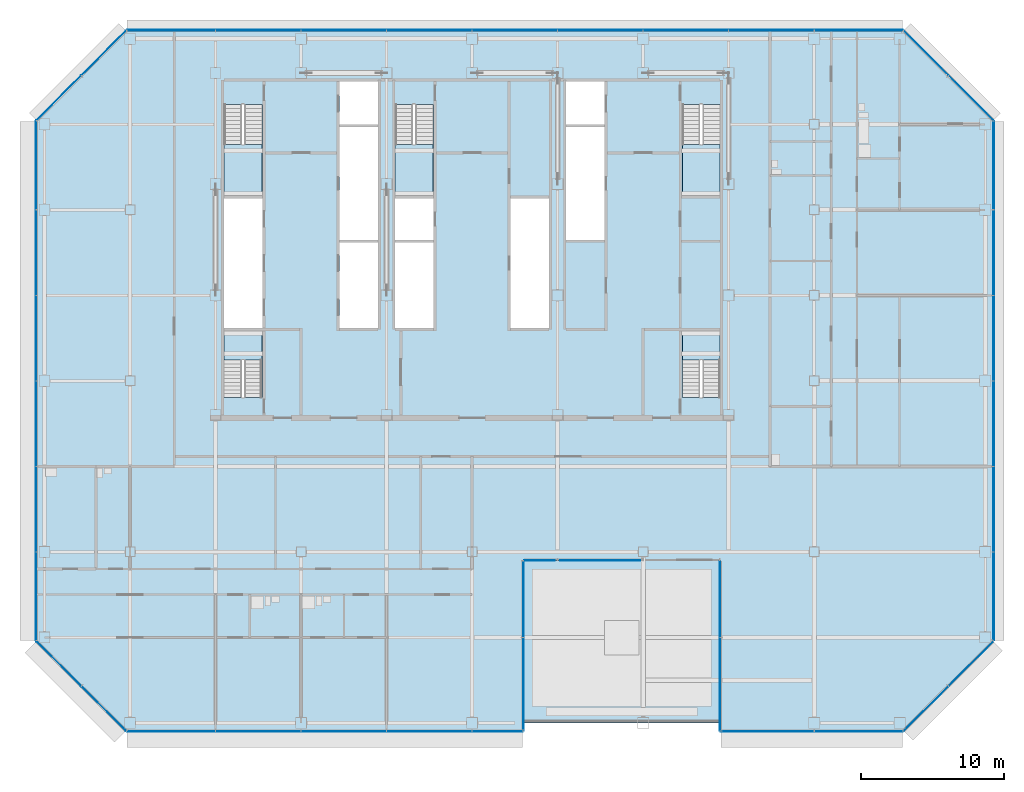
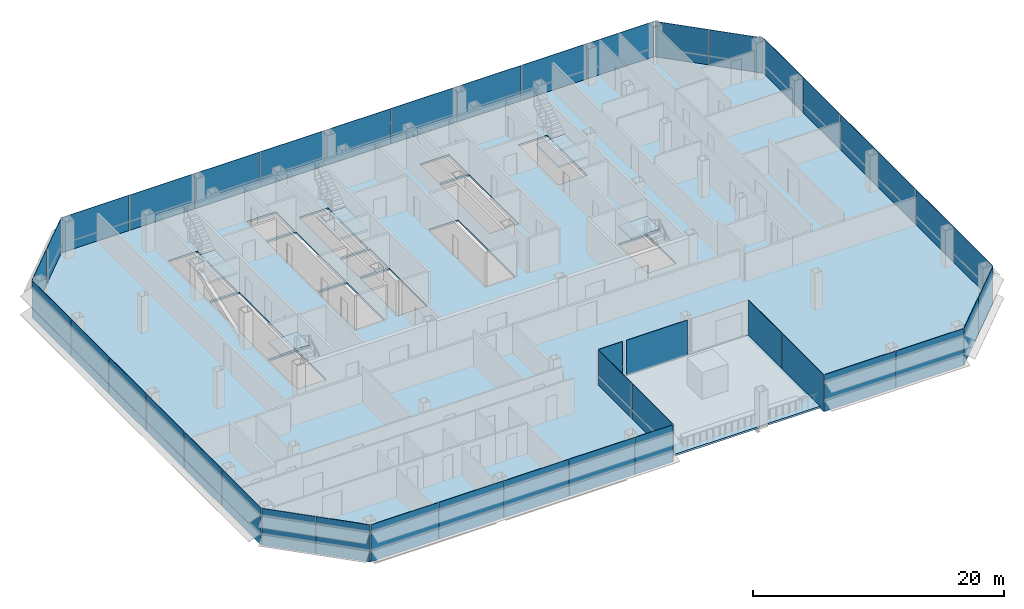
# One storey, part 17 of 26: 42 plates, 7 slabs, 17 elements without a shape of their own.
"""IFC4 building model written with IfcOpenShell, lengths in metres."""

from ifc_helpers import new_model, si_unit, direction, frame, origin, origin_2d, place, context, subcontext, project, spatial, polyline, rectangle, outline, extrude, material, layer, layer_set, type_object, element, aggregate, save


model = new_model("IFC4")

# Units and contexts
model_context = context("Model", 3, precision=1e-05, world=origin(), true_north=direction((0.0, 1.0)))
body_context = subcontext(model_context, "Body", "Model", "MODEL_VIEW")
ifc_project = project(units=[si_unit("LENGTHUNIT", "METRE"), si_unit("AREAUNIT", "SQUARE_METRE"), si_unit("VOLUMEUNIT", "CUBIC_METRE"), si_unit("PLANEANGLEUNIT", "RADIAN"), si_unit("MASSUNIT", "GRAM", prefix="KILO")], contexts=[model_context])

# Site, building, storey
site_placement = place(None, origin())
site = spatial("IfcSite", under=ifc_project, at=site_placement, CompositionType="ELEMENT")
building_placement = place(site_placement, origin())
building = spatial("IfcBuilding", under=site, at=building_placement, Name="Sorahane Residences", CompositionType="ELEMENT")
storey_placement = place(building_placement, frame((0.0, 0.0, 103.39990234375)))
storey = spatial("IfcBuildingStorey", under=building, at=storey_placement, Name="L22", CompositionType="ELEMENT", Elevation=103.39990234375)

# Slab
ifc_material_1 = material(Name="Concrete C35", Category="concrete")
ifc_layer_1 = layer(ifc_material_1, 0.179931640625)
ifc_layer_set_1 = layer_set([ifc_layer_1], Name="Composite floor slab 180 mm Concrete C35")
slab_type_1 = type_object("IfcSlabType", Name="Composite floor slab 180 mm Concrete C35", PredefinedType="FLOOR", material=ifc_layer_set_1)
slab_1_placement = place(storey_placement, frame((0.0, 0.0, -0.179931640625)))
element("IfcSlab", 1, at=slab_1_placement, inside=storey, type_object=slab_type_1, Name="Slab L22", PredefinedType="FLOOR", context=body_context, shape_type="SweptSolid", body=[
    extrude(outline(polyline([(-0.24853515625, -0.60009765625), (-6.60009765625, 5.75146484375), (-6.60009765625, 42.24853515625), (-0.24853515625, 48.60009765625), (54.24853515625, 48.60009765625), (60.60009765625, 42.24853515625), (60.60009765625, 5.75146484375), (54.24853515625, -0.60009765625), (41.39990234375, -0.60009765625), (41.39990234375, 11.39990234375), (27.60009765625, 11.39990234375), (27.60009765625, -0.60009765625), (-0.24853515625, -0.60009765625)]), holes=[polyline([(18.60009765625, 27.699951171875), (21.300048828125, 27.699951171875), (21.300048828125, 33.699951171875), (18.60009765625, 33.699951171875), (18.60009765625, 27.699951171875)]), polyline([(30.60009765625, 42.0), (33.300048828125, 42.0), (33.300048828125, 45.0), (30.60009765625, 45.0), (30.60009765625, 42.0)]), polyline([(14.699951171875, 27.699951171875), (17.39990234375, 27.699951171875), (17.39990234375, 33.699951171875), (14.699951171875, 33.699951171875), (14.699951171875, 27.699951171875)]), polyline([(14.699951171875, 42.0), (17.39990234375, 42.0), (17.39990234375, 45.0), (14.699951171875, 45.0), (14.699951171875, 42.0)]), polyline([(6.60009765625, 27.699951171875), (9.300048828125, 27.699951171875), (9.300048828125, 36.800048828125), (6.60009765625, 36.800048828125), (6.60009765625, 27.699951171875)]), polyline([(6.60009765625, 43.39990234375), (6.60009765625, 37.0), (9.25, 37.0), (9.25, 43.39990234375), (6.60009765625, 43.39990234375)]), polyline([(38.75, 43.39990234375), (38.75, 37.0), (41.39990234375, 37.0), (41.39990234375, 43.39990234375), (38.75, 43.39990234375)]), polyline([(18.60009765625, 43.39990234375), (18.60009765625, 37.0), (21.25, 37.0), (21.25, 43.39990234375), (18.60009765625, 43.39990234375)]), polyline([(9.25, 22.85009765625), (9.25, 27.5), (6.60009765625, 27.5), (6.60009765625, 22.85009765625), (9.25, 22.85009765625)]), polyline([(41.39990234375, 22.85009765625), (41.39990234375, 27.5), (38.75, 27.5), (38.75, 22.85009765625), (41.39990234375, 22.85009765625)]), polyline([(14.699951171875, 33.89990234375), (17.39990234375, 33.89990234375), (17.39990234375, 41.800048828125), (14.699951171875, 41.800048828125), (14.699951171875, 33.89990234375)]), polyline([(30.60009765625, 33.89990234375), (33.300048828125, 33.89990234375), (33.300048828125, 41.800048828125), (30.60009765625, 41.800048828125), (30.60009765625, 33.89990234375)]), polyline([(18.60009765625, 33.89990234375), (21.300048828125, 33.89990234375), (21.300048828125, 36.800048828125), (18.60009765625, 36.800048828125), (18.60009765625, 33.89990234375)]), polyline([(26.699951171875, 27.699951171875), (29.39990234375, 27.699951171875), (29.39990234375, 36.800048828125), (26.699951171875, 36.800048828125), (26.699951171875, 27.699951171875)])]), origin(), (0.0, 0.0, 1.0), 0.179931640625),
])

# Curtain wall, plates
ifc_material_2 = material(Name="Dark low-e glass and black anodised aluminium", Category="aluminium")
curtain_wall_type_1 = type_object("IfcCurtainWallType", Name="Curtain wall CW-1 Typical unitised wall", PredefinedType="NOTDEFINED", material=ifc_material_2)
curtain_wall_1_placement = place(storey_placement, origin())
curtain_wall_1 = element("IfcCurtainWall", 2, at=curtain_wall_1_placement, inside=storey, type_object=curtain_wall_type_1, Name="CW-1 curtain wall L22 S1", PredefinedType="NOTDEFINED")
ifc_material_3 = material(Name="Dark low-e glass with black ceramic frit", Category="glass")
ifc_layer_2 = layer(ifc_material_3, 0.0400390625)
ifc_layer_set_2 = layer_set([ifc_layer_2], Name="Curtain wall glass panel dark low-e with black frit spandrel band")
plate_type = type_object("IfcPlateType", Name="Curtain wall glass panel dark low-e with black frit spandrel band", PredefinedType="CURTAIN_PANEL", material=ifc_layer_set_2)
plate_1_placement = place(storey_placement, frame((2.88818359375, -0.60009765625, -0.179931640625), z_axis=(0.0, 0.0, 1.0), x_axis=(1.0, 0.0, 0.0)))
plate_1 = element("IfcPlate", 3, at=plate_1_placement, type_object=plate_type, Name="CW-1 glass panel L22 S1.1", PredefinedType="CURTAIN_PANEL", context=body_context, shape_type="SweptSolid", body=[
    extrude(rectangle(XDim=6.173583984375, YDim=0.0400390625, at=origin_2d()), origin(), (0.0, 0.0, 1.0), 3.60009765625),
])
plate_2_placement = place(storey_placement, frame((9.0, -0.60009765625, -0.179931640625), z_axis=(0.0, 0.0, 1.0), x_axis=(1.0, 0.0, 0.0)))
plate_2 = element("IfcPlate", 4, at=plate_2_placement, type_object=plate_type, Name="CW-1 glass panel L22 S1.2", PredefinedType="CURTAIN_PANEL", context=body_context, shape_type="SweptSolid", body=[
    extrude(rectangle(XDim=5.949951171875, YDim=0.0400390625, at=origin_2d()), origin(), (0.0, 0.0, 1.0), 3.60009765625),
])
plate_3_placement = place(storey_placement, frame((15.0, -0.60009765625, -0.179931640625), z_axis=(0.0, 0.0, 1.0), x_axis=(1.0, 0.0, 0.0)))
plate_3 = element("IfcPlate", 5, at=plate_3_placement, type_object=plate_type, Name="CW-1 glass panel L22 S1.3", PredefinedType="CURTAIN_PANEL", context=body_context, shape_type="SweptSolid", body=[
    extrude(rectangle(XDim=5.949951171875, YDim=0.0400390625, at=origin_2d()), origin(), (0.0, 0.0, 1.0), 3.60009765625),
])
plate_4_placement = place(storey_placement, frame((21.0, -0.60009765625, -0.179931640625), z_axis=(0.0, 0.0, 1.0), x_axis=(1.0, 0.0, 0.0)))
plate_4 = element("IfcPlate", 6, at=plate_4_placement, type_object=plate_type, Name="CW-1 glass panel L22 S1.4", PredefinedType="CURTAIN_PANEL", context=body_context, shape_type="SweptSolid", body=[
    extrude(rectangle(XDim=5.949951171875, YDim=0.0400390625, at=origin_2d()), origin(), (0.0, 0.0, 1.0), 3.60009765625),
])
plate_5_placement = place(storey_placement, frame((25.78759765625, -0.60009765625, -0.179931640625), z_axis=(0.0, 0.0, 1.0), x_axis=(1.0, 0.0, 0.0)))
plate_5 = element("IfcPlate", 7, at=plate_5_placement, type_object=plate_type, Name="CW-1 glass panel L22 S1.5", PredefinedType="CURTAIN_PANEL", context=body_context, shape_type="SweptSolid", body=[
    extrude(rectangle(XDim=3.52490234375, YDim=0.0400390625, at=origin_2d()), origin(), (0.0, 0.0, 1.0), 3.60009765625),
])
aggregate(curtain_wall_1, [plate_1, plate_2, plate_3, plate_4, plate_5])

curtain_wall_2_placement = place(storey_placement, origin())
curtain_wall_2 = element("IfcCurtainWall", 8, at=curtain_wall_2_placement, inside=storey, type_object=curtain_wall_type_1, Name="CW-1 curtain wall L22 E1", PredefinedType="NOTDEFINED")
plate_6_placement = place(storey_placement, frame((27.60009765625, 2.71240234375, -0.179931640625), z_axis=(0.0, 0.0, 1.0), x_axis=(0.0, 1.0, 0.0)))
plate_6 = element("IfcPlate", 9, at=plate_6_placement, type_object=plate_type, Name="CW-1 glass panel L22 E1.1", PredefinedType="CURTAIN_PANEL", context=body_context, shape_type="SweptSolid", body=[
    extrude(rectangle(XDim=6.52490234375, YDim=0.0400390625, at=origin_2d()), origin(), (0.0, 0.0, 1.0), 3.60009765625),
])
plate_7_placement = place(storey_placement, frame((27.60009765625, 8.6875, -0.179931640625), z_axis=(0.0, 0.0, 1.0), x_axis=(0.0, 1.0, 0.0)))
plate_7 = element("IfcPlate", 10, at=plate_7_placement, type_object=plate_type, Name="CW-1 glass panel L22 E1.2", PredefinedType="CURTAIN_PANEL", context=body_context, shape_type="SweptSolid", body=[
    extrude(rectangle(XDim=5.324951171875, YDim=0.0400390625, at=origin_2d()), origin(), (0.0, 0.0, 1.0), 3.60009765625),
])
aggregate(curtain_wall_2, [plate_6, plate_7])

curtain_wall_3_placement = place(storey_placement, origin())
curtain_wall_3 = element("IfcCurtainWall", 11, at=curtain_wall_3_placement, inside=storey, type_object=curtain_wall_type_1, Name="CW-1 curtain wall L22 S2", PredefinedType="NOTDEFINED")
plate_8_placement = place(storey_placement, frame((28.72509765625, 11.39990234375, -0.179931640625), z_axis=(0.0, 0.0, 1.0), x_axis=(1.0, 0.0, 0.0)))
plate_8 = element("IfcPlate", 12, at=plate_8_placement, type_object=plate_type, Name="CW-1 glass panel L22 S2.1", PredefinedType="CURTAIN_PANEL", context=body_context, shape_type="SweptSolid", body=[
    extrude(rectangle(XDim=2.14990234375, YDim=0.0400390625, at=origin_2d()), origin(), (0.0, 0.0, 1.0), 3.60009765625),
])
plate_9_placement = place(storey_placement, frame((33.0, 11.39990234375, -0.179931640625), z_axis=(0.0, 0.0, 1.0), x_axis=(1.0, 0.0, 0.0)))
plate_9 = element("IfcPlate", 13, at=plate_9_placement, type_object=plate_type, Name="CW-1 glass panel L22 S2.2", PredefinedType="CURTAIN_PANEL", context=body_context, shape_type="SweptSolid", body=[
    extrude(rectangle(XDim=5.60009765625, YDim=0.0400390625, at=origin_2d()), origin(), (0.0, 0.0, 1.0), 3.60009765625),
])
aggregate(curtain_wall_3, [plate_8, plate_9])

curtain_wall_4_placement = place(storey_placement, origin())
curtain_wall_4 = element("IfcCurtainWall", 14, at=curtain_wall_4_placement, inside=storey, type_object=curtain_wall_type_1, Name="CW-1 curtain wall L22 W1", PredefinedType="NOTDEFINED")
plate_10_placement = place(storey_placement, frame((41.39990234375, 8.6875, -0.179931640625), z_axis=(0.0, 0.0, 1.0), x_axis=(0.0, -1.0, 0.0)))
plate_10 = element("IfcPlate", 15, at=plate_10_placement, type_object=plate_type, Name="CW-1 glass panel L22 W1.1", PredefinedType="CURTAIN_PANEL", context=body_context, shape_type="SweptSolid", body=[
    extrude(rectangle(XDim=5.324951171875, YDim=0.0400390625, at=origin_2d()), origin(), (0.0, 0.0, 1.0), 3.60009765625),
])
plate_11_placement = place(storey_placement, frame((41.39990234375, 2.71240234375, -0.179931640625), z_axis=(0.0, 0.0, 1.0), x_axis=(0.0, -1.0, 0.0)))
plate_11 = element("IfcPlate", 16, at=plate_11_placement, type_object=plate_type, Name="CW-1 glass panel L22 W1.2", PredefinedType="CURTAIN_PANEL", context=body_context, shape_type="SweptSolid", body=[
    extrude(rectangle(XDim=6.52490234375, YDim=0.0400390625, at=origin_2d()), origin(), (0.0, 0.0, 1.0), 3.60009765625),
])
aggregate(curtain_wall_4, [plate_10, plate_11])

curtain_wall_5_placement = place(storey_placement, origin())
curtain_wall_5 = element("IfcCurtainWall", 17, at=curtain_wall_5_placement, inside=storey, type_object=curtain_wall_type_1, Name="CW-1 curtain wall L22 S3", PredefinedType="NOTDEFINED")
plate_12_placement = place(storey_placement, frame((44.71240234375, -0.60009765625, -0.179931640625), z_axis=(0.0, 0.0, 1.0), x_axis=(1.0, 0.0, 0.0)))
plate_12 = element("IfcPlate", 18, at=plate_12_placement, type_object=plate_type, Name="CW-1 glass panel L22 S3.1", PredefinedType="CURTAIN_PANEL", context=body_context, shape_type="SweptSolid", body=[
    extrude(rectangle(XDim=6.52490234375, YDim=0.0400390625, at=origin_2d()), origin(), (0.0, 0.0, 1.0), 3.60009765625),
])
plate_13_placement = place(storey_placement, frame((51.11181640625, -0.60009765625, -0.179931640625), z_axis=(0.0, 0.0, 1.0), x_axis=(1.0, 0.0, 0.0)))
plate_13 = element("IfcPlate", 19, at=plate_13_placement, type_object=plate_type, Name="CW-1 glass panel L22 S3.2", PredefinedType="CURTAIN_PANEL", context=body_context, shape_type="SweptSolid", body=[
    extrude(rectangle(XDim=6.173583984375, YDim=0.0400390625, at=origin_2d()), origin(), (0.0, 0.0, 1.0), 3.60009765625),
])
aggregate(curtain_wall_5, [plate_12, plate_13])

ifc_material_4 = material(Name="Dark low-e glass and black anodised aluminium", Category="aluminium")
curtain_wall_type_2 = type_object("IfcCurtainWallType", Name="Curtain wall CW-2 Chamfer unitised wall", PredefinedType="NOTDEFINED", material=ifc_material_4)
curtain_wall_6_placement = place(storey_placement, origin())
curtain_wall_6 = element("IfcCurtainWall", 20, at=curtain_wall_6_placement, inside=storey, type_object=curtain_wall_type_2, Name="CW-2 curtain wall L22 SE1", PredefinedType="NOTDEFINED")
plate_14_placement = place(storey_placement, frame((55.84521484375, 0.996826171875, -0.179931640625), z_axis=(0.0, 0.0, 1.0), x_axis=(0.707106781187, 0.707106781187, 0.0)))
plate_14 = element("IfcPlate", 21, at=plate_14_placement, type_object=plate_type, Name="CW-2 glass panel L22 SE1.1", PredefinedType="CURTAIN_PANEL", context=body_context, shape_type="SweptSolid", body=[
    extrude(rectangle(XDim=4.416259765625, YDim=0.0400390625, at=origin_2d()), origin(), (0.0, 0.0, 1.0), 3.60009765625),
])
plate_15_placement = place(storey_placement, frame((59.003173828125, 4.15478515625, -0.179931640625), z_axis=(0.0, 0.0, 1.0), x_axis=(0.707106781187, 0.707106781187, 0.0)))
plate_15 = element("IfcPlate", 22, at=plate_15_placement, type_object=plate_type, Name="CW-2 glass panel L22 SE1.2", PredefinedType="CURTAIN_PANEL", context=body_context, shape_type="SweptSolid", body=[
    extrude(rectangle(XDim=4.416259765625, YDim=0.0400390625, at=origin_2d()), origin(), (0.0, 0.0, 1.0), 3.60009765625),
])
aggregate(curtain_wall_6, [plate_14, plate_15])

curtain_wall_7_placement = place(storey_placement, origin())
curtain_wall_7 = element("IfcCurtainWall", 23, at=curtain_wall_7_placement, inside=storey, type_object=curtain_wall_type_1, Name="CW-1 curtain wall L22 E2", PredefinedType="NOTDEFINED")
plate_16_placement = place(storey_placement, frame((60.60009765625, 8.88818359375, -0.179931640625), z_axis=(0.0, 0.0, 1.0), x_axis=(0.0, 1.0, 0.0)))
plate_16 = element("IfcPlate", 24, at=plate_16_placement, type_object=plate_type, Name="CW-1 glass panel L22 E2.1", PredefinedType="CURTAIN_PANEL", context=body_context, shape_type="SweptSolid", body=[
    extrude(rectangle(XDim=6.173583984375, YDim=0.0400390625, at=origin_2d()), origin(), (0.0, 0.0, 1.0), 3.60009765625),
])
plate_17_placement = place(storey_placement, frame((60.60009765625, 15.0, -0.179931640625), z_axis=(0.0, 0.0, 1.0), x_axis=(0.0, 1.0, 0.0)))
plate_17 = element("IfcPlate", 25, at=plate_17_placement, type_object=plate_type, Name="CW-1 glass panel L22 E2.2", PredefinedType="CURTAIN_PANEL", context=body_context, shape_type="SweptSolid", body=[
    extrude(rectangle(XDim=5.949951171875, YDim=0.0400390625, at=origin_2d()), origin(), (0.0, 0.0, 1.0), 3.60009765625),
])
plate_18_placement = place(storey_placement, frame((60.60009765625, 21.0, -0.179931640625), z_axis=(0.0, 0.0, 1.0), x_axis=(0.0, 1.0, 0.0)))
plate_18 = element("IfcPlate", 26, at=plate_18_placement, type_object=plate_type, Name="CW-1 glass panel L22 E2.3", PredefinedType="CURTAIN_PANEL", context=body_context, shape_type="SweptSolid", body=[
    extrude(rectangle(XDim=5.949951171875, YDim=0.0400390625, at=origin_2d()), origin(), (0.0, 0.0, 1.0), 3.60009765625),
])
plate_19_placement = place(storey_placement, frame((60.60009765625, 27.0, -0.179931640625), z_axis=(0.0, 0.0, 1.0), x_axis=(0.0, 1.0, 0.0)))
plate_19 = element("IfcPlate", 27, at=plate_19_placement, type_object=plate_type, Name="CW-1 glass panel L22 E2.4", PredefinedType="CURTAIN_PANEL", context=body_context, shape_type="SweptSolid", body=[
    extrude(rectangle(XDim=5.949951171875, YDim=0.0400390625, at=origin_2d()), origin(), (0.0, 0.0, 1.0), 3.60009765625),
])
plate_20_placement = place(storey_placement, frame((60.60009765625, 33.0, -0.179931640625), z_axis=(0.0, 0.0, 1.0), x_axis=(0.0, 1.0, 0.0)))
plate_20 = element("IfcPlate", 28, at=plate_20_placement, type_object=plate_type, Name="CW-1 glass panel L22 E2.5", PredefinedType="CURTAIN_PANEL", context=body_context, shape_type="SweptSolid", body=[
    extrude(rectangle(XDim=5.949951171875, YDim=0.0400390625, at=origin_2d()), origin(), (0.0, 0.0, 1.0), 3.60009765625),
])
plate_21_placement = place(storey_placement, frame((60.60009765625, 39.11181640625, -0.179931640625), z_axis=(0.0, 0.0, 1.0), x_axis=(0.0, 1.0, 0.0)))
plate_21 = element("IfcPlate", 29, at=plate_21_placement, type_object=plate_type, Name="CW-1 glass panel L22 E2.6", PredefinedType="CURTAIN_PANEL", context=body_context, shape_type="SweptSolid", body=[
    extrude(rectangle(XDim=6.173583984375, YDim=0.0400390625, at=origin_2d()), origin(), (0.0, 0.0, 1.0), 3.60009765625),
])
aggregate(curtain_wall_7, [plate_16, plate_17, plate_18, plate_19, plate_20, plate_21])

curtain_wall_8_placement = place(storey_placement, origin())
curtain_wall_8 = element("IfcCurtainWall", 30, at=curtain_wall_8_placement, inside=storey, type_object=curtain_wall_type_2, Name="CW-2 curtain wall L22 NE1", PredefinedType="NOTDEFINED")
plate_22_placement = place(storey_placement, frame((59.003173828125, 43.84521484375, -0.179931640625), z_axis=(0.0, 0.0, 1.0), x_axis=(-0.707106781187, 0.707106781187, 0.0)))
plate_22 = element("IfcPlate", 31, at=plate_22_placement, type_object=plate_type, Name="CW-2 glass panel L22 NE1.1", PredefinedType="CURTAIN_PANEL", context=body_context, shape_type="SweptSolid", body=[
    extrude(rectangle(XDim=4.416259765625, YDim=0.0400390625, at=origin_2d()), origin(), (0.0, 0.0, 1.0), 3.60009765625),
])
plate_23_placement = place(storey_placement, frame((55.84521484375, 47.003173828125, -0.179931640625), z_axis=(0.0, 0.0, 1.0), x_axis=(-0.707106781187, 0.707106781187, 0.0)))
plate_23 = element("IfcPlate", 32, at=plate_23_placement, type_object=plate_type, Name="CW-2 glass panel L22 NE1.2", PredefinedType="CURTAIN_PANEL", context=body_context, shape_type="SweptSolid", body=[
    extrude(rectangle(XDim=4.416259765625, YDim=0.0400390625, at=origin_2d()), origin(), (0.0, 0.0, 1.0), 3.60009765625),
])
aggregate(curtain_wall_8, [plate_22, plate_23])

curtain_wall_9_placement = place(storey_placement, origin())
curtain_wall_9 = element("IfcCurtainWall", 33, at=curtain_wall_9_placement, inside=storey, type_object=curtain_wall_type_1, Name="CW-1 curtain wall L22 N1", PredefinedType="NOTDEFINED")
plate_24_placement = place(storey_placement, frame((51.11181640625, 48.60009765625, -0.179931640625), z_axis=(0.0, 0.0, 1.0), x_axis=(-1.0, 0.0, 0.0)))
plate_24 = element("IfcPlate", 34, at=plate_24_placement, type_object=plate_type, Name="CW-1 glass panel L22 N1.1", PredefinedType="CURTAIN_PANEL", context=body_context, shape_type="SweptSolid", body=[
    extrude(rectangle(XDim=6.173583984375, YDim=0.0400390625, at=origin_2d()), origin(), (0.0, 0.0, 1.0), 3.60009765625),
])
plate_25_placement = place(storey_placement, frame((45.0, 48.60009765625, -0.179931640625), z_axis=(0.0, 0.0, 1.0), x_axis=(-1.0, 0.0, 0.0)))
plate_25 = element("IfcPlate", 35, at=plate_25_placement, type_object=plate_type, Name="CW-1 glass panel L22 N1.2", PredefinedType="CURTAIN_PANEL", context=body_context, shape_type="SweptSolid", body=[
    extrude(rectangle(XDim=5.949951171875, YDim=0.0400390625, at=origin_2d()), origin(), (0.0, 0.0, 1.0), 3.60009765625),
])
plate_26_placement = place(storey_placement, frame((39.0, 48.60009765625, -0.179931640625), z_axis=(0.0, 0.0, 1.0), x_axis=(-1.0, 0.0, 0.0)))
plate_26 = element("IfcPlate", 36, at=plate_26_placement, type_object=plate_type, Name="CW-1 glass panel L22 N1.3", PredefinedType="CURTAIN_PANEL", context=body_context, shape_type="SweptSolid", body=[
    extrude(rectangle(XDim=5.949951171875, YDim=0.0400390625, at=origin_2d()), origin(), (0.0, 0.0, 1.0), 3.60009765625),
])
plate_27_placement = place(storey_placement, frame((33.0, 48.60009765625, -0.179931640625), z_axis=(0.0, 0.0, 1.0), x_axis=(-1.0, 0.0, 0.0)))
plate_27 = element("IfcPlate", 37, at=plate_27_placement, type_object=plate_type, Name="CW-1 glass panel L22 N1.4", PredefinedType="CURTAIN_PANEL", context=body_context, shape_type="SweptSolid", body=[
    extrude(rectangle(XDim=5.949951171875, YDim=0.0400390625, at=origin_2d()), origin(), (0.0, 0.0, 1.0), 3.60009765625),
])
plate_28_placement = place(storey_placement, frame((27.0, 48.60009765625, -0.179931640625), z_axis=(0.0, 0.0, 1.0), x_axis=(-1.0, 0.0, 0.0)))
plate_28 = element("IfcPlate", 38, at=plate_28_placement, type_object=plate_type, Name="CW-1 glass panel L22 N1.5", PredefinedType="CURTAIN_PANEL", context=body_context, shape_type="SweptSolid", body=[
    extrude(rectangle(XDim=5.949951171875, YDim=0.0400390625, at=origin_2d()), origin(), (0.0, 0.0, 1.0), 3.60009765625),
])
plate_29_placement = place(storey_placement, frame((21.0, 48.60009765625, -0.179931640625), z_axis=(0.0, 0.0, 1.0), x_axis=(-1.0, 0.0, 0.0)))
plate_29 = element("IfcPlate", 39, at=plate_29_placement, type_object=plate_type, Name="CW-1 glass panel L22 N1.6", PredefinedType="CURTAIN_PANEL", context=body_context, shape_type="SweptSolid", body=[
    extrude(rectangle(XDim=5.949951171875, YDim=0.0400390625, at=origin_2d()), origin(), (0.0, 0.0, 1.0), 3.60009765625),
])
plate_30_placement = place(storey_placement, frame((15.0, 48.60009765625, -0.179931640625), z_axis=(0.0, 0.0, 1.0), x_axis=(-1.0, 0.0, 0.0)))
plate_30 = element("IfcPlate", 40, at=plate_30_placement, type_object=plate_type, Name="CW-1 glass panel L22 N1.7", PredefinedType="CURTAIN_PANEL", context=body_context, shape_type="SweptSolid", body=[
    extrude(rectangle(XDim=5.949951171875, YDim=0.0400390625, at=origin_2d()), origin(), (0.0, 0.0, 1.0), 3.60009765625),
])
plate_31_placement = place(storey_placement, frame((9.0, 48.60009765625, -0.179931640625), z_axis=(0.0, 0.0, 1.0), x_axis=(-1.0, 0.0, 0.0)))
plate_31 = element("IfcPlate", 41, at=plate_31_placement, type_object=plate_type, Name="CW-1 glass panel L22 N1.8", PredefinedType="CURTAIN_PANEL", context=body_context, shape_type="SweptSolid", body=[
    extrude(rectangle(XDim=5.949951171875, YDim=0.0400390625, at=origin_2d()), origin(), (0.0, 0.0, 1.0), 3.60009765625),
])
plate_32_placement = place(storey_placement, frame((2.88818359375, 48.60009765625, -0.179931640625), z_axis=(0.0, 0.0, 1.0), x_axis=(-1.0, 0.0, 0.0)))
plate_32 = element("IfcPlate", 42, at=plate_32_placement, type_object=plate_type, Name="CW-1 glass panel L22 N1.9", PredefinedType="CURTAIN_PANEL", context=body_context, shape_type="SweptSolid", body=[
    extrude(rectangle(XDim=6.173583984375, YDim=0.0400390625, at=origin_2d()), origin(), (0.0, 0.0, 1.0), 3.60009765625),
])
aggregate(curtain_wall_9, [plate_24, plate_25, plate_26, plate_27, plate_28, plate_29, plate_30, plate_31, plate_32])

curtain_wall_10_placement = place(storey_placement, origin())
curtain_wall_10 = element("IfcCurtainWall", 43, at=curtain_wall_10_placement, inside=storey, type_object=curtain_wall_type_2, Name="CW-2 curtain wall L22 NW1", PredefinedType="NOTDEFINED")
plate_33_placement = place(storey_placement, frame((-1.84521484375, 47.003173828125, -0.179931640625), z_axis=(0.0, 0.0, 1.0), x_axis=(-0.707106781187, -0.707106781187, 0.0)))
plate_33 = element("IfcPlate", 44, at=plate_33_placement, type_object=plate_type, Name="CW-2 glass panel L22 NW1.1", PredefinedType="CURTAIN_PANEL", context=body_context, shape_type="SweptSolid", body=[
    extrude(rectangle(XDim=4.416259765625, YDim=0.0400390625, at=origin_2d()), origin(), (0.0, 0.0, 1.0), 3.60009765625),
])
plate_34_placement = place(storey_placement, frame((-5.003173828125, 43.84521484375, -0.179931640625), z_axis=(0.0, 0.0, 1.0), x_axis=(-0.707106781187, -0.707106781187, 0.0)))
plate_34 = element("IfcPlate", 45, at=plate_34_placement, type_object=plate_type, Name="CW-2 glass panel L22 NW1.2", PredefinedType="CURTAIN_PANEL", context=body_context, shape_type="SweptSolid", body=[
    extrude(rectangle(XDim=4.416259765625, YDim=0.0400390625, at=origin_2d()), origin(), (0.0, 0.0, 1.0), 3.60009765625),
])
aggregate(curtain_wall_10, [plate_33, plate_34])

curtain_wall_11_placement = place(storey_placement, origin())
curtain_wall_11 = element("IfcCurtainWall", 46, at=curtain_wall_11_placement, inside=storey, type_object=curtain_wall_type_1, Name="CW-1 curtain wall L22 W2", PredefinedType="NOTDEFINED")
plate_35_placement = place(storey_placement, frame((-6.60009765625, 39.11181640625, -0.179931640625), z_axis=(0.0, 0.0, 1.0), x_axis=(0.0, -1.0, 0.0)))
plate_35 = element("IfcPlate", 47, at=plate_35_placement, type_object=plate_type, Name="CW-1 glass panel L22 W2.1", PredefinedType="CURTAIN_PANEL", context=body_context, shape_type="SweptSolid", body=[
    extrude(rectangle(XDim=6.173583984375, YDim=0.0400390625, at=origin_2d()), origin(), (0.0, 0.0, 1.0), 3.60009765625),
])
plate_36_placement = place(storey_placement, frame((-6.60009765625, 33.0, -0.179931640625), z_axis=(0.0, 0.0, 1.0), x_axis=(0.0, -1.0, 0.0)))
plate_36 = element("IfcPlate", 48, at=plate_36_placement, type_object=plate_type, Name="CW-1 glass panel L22 W2.2", PredefinedType="CURTAIN_PANEL", context=body_context, shape_type="SweptSolid", body=[
    extrude(rectangle(XDim=5.949951171875, YDim=0.0400390625, at=origin_2d()), origin(), (0.0, 0.0, 1.0), 3.60009765625),
])
plate_37_placement = place(storey_placement, frame((-6.60009765625, 27.0, -0.179931640625), z_axis=(0.0, 0.0, 1.0), x_axis=(0.0, -1.0, 0.0)))
plate_37 = element("IfcPlate", 49, at=plate_37_placement, type_object=plate_type, Name="CW-1 glass panel L22 W2.3", PredefinedType="CURTAIN_PANEL", context=body_context, shape_type="SweptSolid", body=[
    extrude(rectangle(XDim=5.949951171875, YDim=0.0400390625, at=origin_2d()), origin(), (0.0, 0.0, 1.0), 3.60009765625),
])
plate_38_placement = place(storey_placement, frame((-6.60009765625, 21.0, -0.179931640625), z_axis=(0.0, 0.0, 1.0), x_axis=(0.0, -1.0, 0.0)))
plate_38 = element("IfcPlate", 50, at=plate_38_placement, type_object=plate_type, Name="CW-1 glass panel L22 W2.4", PredefinedType="CURTAIN_PANEL", context=body_context, shape_type="SweptSolid", body=[
    extrude(rectangle(XDim=5.949951171875, YDim=0.0400390625, at=origin_2d()), origin(), (0.0, 0.0, 1.0), 3.60009765625),
])
plate_39_placement = place(storey_placement, frame((-6.60009765625, 15.0, -0.179931640625), z_axis=(0.0, 0.0, 1.0), x_axis=(0.0, -1.0, 0.0)))
plate_39 = element("IfcPlate", 51, at=plate_39_placement, type_object=plate_type, Name="CW-1 glass panel L22 W2.5", PredefinedType="CURTAIN_PANEL", context=body_context, shape_type="SweptSolid", body=[
    extrude(rectangle(XDim=5.949951171875, YDim=0.0400390625, at=origin_2d()), origin(), (0.0, 0.0, 1.0), 3.60009765625),
])
plate_40_placement = place(storey_placement, frame((-6.60009765625, 8.88818359375, -0.179931640625), z_axis=(0.0, 0.0, 1.0), x_axis=(0.0, -1.0, 0.0)))
plate_40 = element("IfcPlate", 52, at=plate_40_placement, type_object=plate_type, Name="CW-1 glass panel L22 W2.6", PredefinedType="CURTAIN_PANEL", context=body_context, shape_type="SweptSolid", body=[
    extrude(rectangle(XDim=6.173583984375, YDim=0.0400390625, at=origin_2d()), origin(), (0.0, 0.0, 1.0), 3.60009765625),
])
aggregate(curtain_wall_11, [plate_35, plate_36, plate_37, plate_38, plate_39, plate_40])

curtain_wall_12_placement = place(storey_placement, origin())
curtain_wall_12 = element("IfcCurtainWall", 53, at=curtain_wall_12_placement, inside=storey, type_object=curtain_wall_type_2, Name="CW-2 curtain wall L22 SW1", PredefinedType="NOTDEFINED")
plate_41_placement = place(storey_placement, frame((-5.003173828125, 4.15478515625, -0.179931640625), z_axis=(0.0, 0.0, 1.0), x_axis=(0.707106781187, -0.707106781187, 0.0)))
plate_41 = element("IfcPlate", 54, at=plate_41_placement, type_object=plate_type, Name="CW-2 glass panel L22 SW1.1", PredefinedType="CURTAIN_PANEL", context=body_context, shape_type="SweptSolid", body=[
    extrude(rectangle(XDim=4.416259765625, YDim=0.0400390625, at=origin_2d()), origin(), (0.0, 0.0, 1.0), 3.60009765625),
])
plate_42_placement = place(storey_placement, frame((-1.84521484375, 0.996826171875, -0.179931640625), z_axis=(0.0, 0.0, 1.0), x_axis=(0.707106781187, -0.707106781187, 0.0)))
plate_42 = element("IfcPlate", 55, at=plate_42_placement, type_object=plate_type, Name="CW-2 glass panel L22 SW1.2", PredefinedType="CURTAIN_PANEL", context=body_context, shape_type="SweptSolid", body=[
    extrude(rectangle(XDim=4.416259765625, YDim=0.0400390625, at=origin_2d()), origin(), (0.0, 0.0, 1.0), 3.60009765625),
])
aggregate(curtain_wall_12, [plate_41, plate_42])

# Stair, slab
ifc_material_5 = material(Name="Concrete C40", Category="concrete")
stair_type = type_object("IfcStairType", Name="Dog-leg stair 1250 Concrete C40", PredefinedType="HALF_TURN_STAIR", material=ifc_material_5)
stair_1_placement = place(storey_placement, origin())
stair_1 = element("IfcStair", 56, at=stair_1_placement, inside=storey, type_object=stair_type, Name="L22 Stair S1", PredefinedType="HALF_TURN_STAIR")
ifc_material_6 = material(Name="Concrete C40", Category="concrete")
ifc_layer_3 = layer(ifc_material_6, 0.199951171875)
ifc_layer_set_3 = layer_set([ifc_layer_3], Name="Stair landing 200 Concrete C40")
slab_type_2 = type_object("IfcSlabType", Name="Stair landing 200 Concrete C40", PredefinedType="LANDING", material=ifc_layer_set_3)
slab_2_placement = place(storey_placement, frame((0.0, 0.0, 1.60009765625)))
slab_2 = element("IfcSlab", 57, at=slab_2_placement, type_object=slab_type_2, Name="S1 landing 1", PredefinedType="LANDING", context=body_context, shape_type="SweptSolid", body=[
    extrude(outline(polyline([(6.60009765625, 40.60009765625), (6.60009765625, 37.0), (9.25, 37.0), (9.25, 40.60009765625), (6.60009765625, 40.60009765625)])), origin(), (0.0, 0.0, 1.0), 0.199951171875),
])
aggregate(stair_1, [slab_2])

stair_2_placement = place(storey_placement, origin())
stair_2 = element("IfcStair", 58, at=stair_2_placement, inside=storey, type_object=stair_type, Name="L22 Stair S2", PredefinedType="HALF_TURN_STAIR")
slab_3_placement = place(storey_placement, frame((0.0, 0.0, 1.60009765625)))
slab_3 = element("IfcSlab", 59, at=slab_3_placement, type_object=slab_type_2, Name="S2 landing 1", PredefinedType="LANDING", context=body_context, shape_type="SweptSolid", body=[
    extrude(outline(polyline([(38.75, 40.60009765625), (38.75, 37.0), (41.39990234375, 37.0), (41.39990234375, 40.60009765625), (38.75, 40.60009765625)])), origin(), (0.0, 0.0, 1.0), 0.199951171875),
])
aggregate(stair_2, [slab_3])

stair_3_placement = place(storey_placement, origin())
stair_3 = element("IfcStair", 60, at=stair_3_placement, inside=storey, type_object=stair_type, Name="L22 Stair S3", PredefinedType="HALF_TURN_STAIR")
slab_4_placement = place(storey_placement, frame((0.0, 0.0, 1.60009765625)))
slab_4 = element("IfcSlab", 61, at=slab_4_placement, type_object=slab_type_2, Name="S3 landing 1", PredefinedType="LANDING", context=body_context, shape_type="SweptSolid", body=[
    extrude(outline(polyline([(18.60009765625, 40.60009765625), (18.60009765625, 37.0), (21.25, 37.0), (21.25, 40.60009765625), (18.60009765625, 40.60009765625)])), origin(), (0.0, 0.0, 1.0), 0.199951171875),
])
aggregate(stair_3, [slab_4])

stair_4_placement = place(storey_placement, origin())
stair_4 = element("IfcStair", 62, at=stair_4_placement, inside=storey, type_object=stair_type, Name="L22 Stair S4", PredefinedType="HALF_TURN_STAIR")
slab_5_placement = place(storey_placement, frame((0.0, 0.0, 1.60009765625)))
slab_5 = element("IfcSlab", 63, at=slab_5_placement, type_object=slab_type_2, Name="S4 landing 1", PredefinedType="LANDING", context=body_context, shape_type="SweptSolid", body=[
    extrude(outline(polyline([(9.25, 25.449951171875), (9.25, 27.5), (6.60009765625, 27.5), (6.60009765625, 25.449951171875), (9.25, 25.449951171875)])), origin(), (0.0, 0.0, 1.0), 0.199951171875),
])
aggregate(stair_4, [slab_5])

stair_5_placement = place(storey_placement, origin())
stair_5 = element("IfcStair", 64, at=stair_5_placement, inside=storey, type_object=stair_type, Name="L22 Stair S5", PredefinedType="HALF_TURN_STAIR")
slab_6_placement = place(storey_placement, frame((0.0, 0.0, 1.60009765625)))
slab_6 = element("IfcSlab", 65, at=slab_6_placement, type_object=slab_type_2, Name="S5 landing 1", PredefinedType="LANDING", context=body_context, shape_type="SweptSolid", body=[
    extrude(outline(polyline([(41.39990234375, 25.449951171875), (41.39990234375, 27.5), (38.75, 27.5), (38.75, 25.449951171875), (41.39990234375, 25.449951171875)])), origin(), (0.0, 0.0, 1.0), 0.199951171875),
])
aggregate(stair_5, [slab_6])

# Slab
ifc_material_7 = material(Name="Concrete C35", Category="concrete")
ifc_layer_4 = layer(ifc_material_7, 0.179931640625)
ifc_layer_set_4 = layer_set([ifc_layer_4], Name="Terrace slab Concrete C35 paved")
slab_type_3 = type_object("IfcSlabType", Name="Terrace slab Concrete C35 paved", PredefinedType="FLOOR", material=ifc_layer_set_4)
slab_7_placement = place(storey_placement, frame((0.0, 0.0, -0.179931640625)))
element("IfcSlab", 66, at=slab_7_placement, inside=storey, type_object=slab_type_3, Name="Terrace slab L22.1", PredefinedType="FLOOR", context=body_context, shape_type="SweptSolid", body=[
    extrude(outline(polyline([(27.60009765625, 0.0), (27.60009765625, 11.39990234375), (41.39990234375, 11.39990234375), (41.39990234375, 0.0), (27.60009765625, 0.0)])), origin(), (0.0, 0.0, 1.0), 0.179931640625),
])

save(model, "model.ifc")
